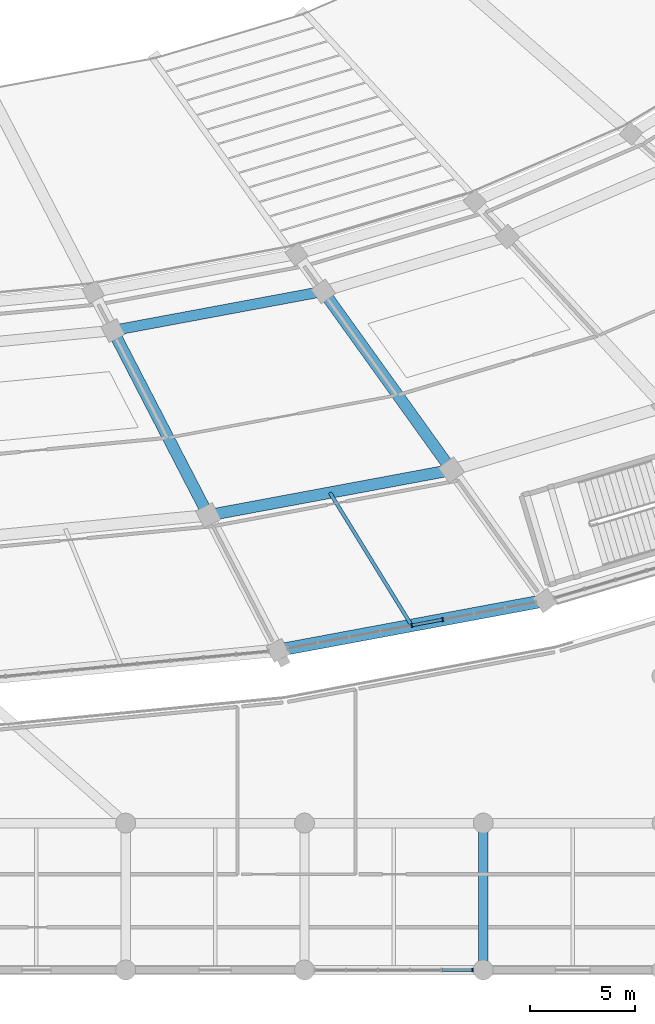
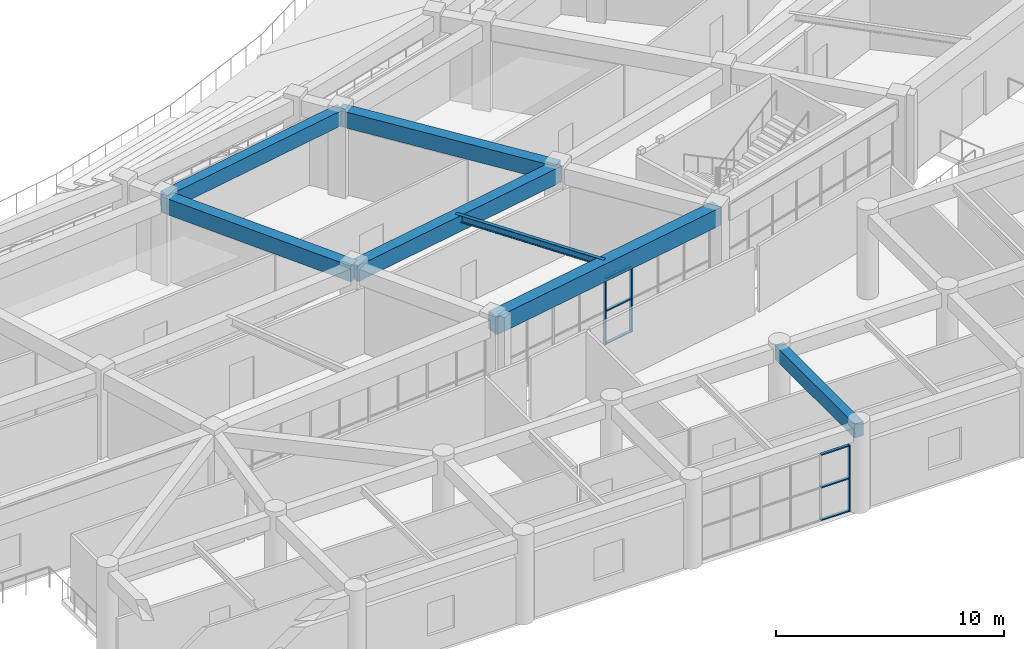
# One storey, part 36 of 152: 9 members, 7 beams, 2 elements without a shape of their own.
"""IFC4 building model written with IfcOpenShell, lengths in metres."""

from ifc_helpers import new_model, si_unit, direction, frame, origin, origin_2d, place, context, subcontext, project, spatial, rectangle, i_section, extrude, material, layer, layer_set, material_profile, profile_set, type_object, element, aggregate, save


model = new_model("IFC4")

# Units and contexts
model_context = context("Model", 3, precision=1e-05, world=origin(), true_north=direction((0.0, 1.0)))
body_context = subcontext(model_context, "Body", "Model", "MODEL_VIEW")
ifc_project = project(units=[si_unit("LENGTHUNIT", "METRE"), si_unit("AREAUNIT", "SQUARE_METRE"), si_unit("VOLUMEUNIT", "CUBIC_METRE"), si_unit("PLANEANGLEUNIT", "RADIAN"), si_unit("MASSUNIT", "GRAM", prefix="KILO")], contexts=[model_context])

# Site, building, storey
site_placement = place(None, origin())
site = spatial("IfcSite", under=ifc_project, at=site_placement, CompositionType="ELEMENT")
building_placement = place(site_placement, origin())
building = spatial("IfcBuilding", under=site, at=building_placement, Name="Mphavela Belvedere Stadium", CompositionType="ELEMENT")
storey_placement = place(building_placement, frame((0.0, 0.0, 5.39990234375)))
storey = spatial("IfcBuildingStorey", under=building, at=storey_placement, Name="L01", CompositionType="ELEMENT", Elevation=5.39990234375)

# Beams
ifc_material_1 = material(Name="Concrete C40/50", Category="concrete")
ifc_material_profile_1 = material_profile(ifc_material_1, rectangle(XDim=0.60009765625, YDim=0.949951171875, at=origin_2d()), Name="RC 600x950")
ifc_profile_set_1 = profile_set([ifc_material_profile_1], Name="Concrete C40/50")
beam_type_1 = type_object("IfcBeamType", Name="BM-ENTABLATURE-950", PredefinedType="SPANDREL", material=ifc_profile_set_1)
beam_1_placement = place(storey_placement, frame((152.07275390625, 15.232666015625, 4.0751953125), z_axis=(0.983098571421, 0.183077029882, 0.0), x_axis=(-0.183077029882, 0.983098571421, 0.0)))
element("IfcBeam", 1, at=beam_1_placement, inside=storey, type_object=beam_type_1, Name="Circumferential girder L01 R4-39", PredefinedType="SPANDREL", context=body_context, shape_type="SweptSolid", body=[
    extrude(rectangle(XDim=0.60009765625, YDim=0.949951171875, at=origin_2d()), origin(), (0.0, 0.0, 1.0), 12.947265625),
])
ifc_material_2 = material(Name="Steel S355", Category="steel")
ifc_material_profile_2 = material_profile(ifc_material_2, i_section(OverallWidth=0.169921875, OverallDepth=0.360107421875, WebThickness=0.008056640625, FlangeThickness=0.0126953125, at=origin_2d()), Name="IPE 360")
ifc_profile_set_2 = profile_set([ifc_material_profile_2], Name="Steel S355")
beam_type_2 = type_object("IfcBeamType", Name="BM-JOIST-IPE360", PredefinedType="JOIST", material=ifc_profile_set_2)
beam_2_placement = place(storey_placement, frame((154.544189453125, 22.743408203125, 4.3701171875), z_axis=(0.524121267204, -0.851643644528, 0.0), x_axis=(0.851643644528, 0.524121267204, 0.0)))
element("IfcBeam", 2, at=beam_2_placement, inside=storey, type_object=beam_type_2, Name="Concourse floor joist L01-39", PredefinedType="JOIST", context=body_context, shape_type="SweptSolid", body=[
    extrude(i_section(OverallWidth=0.169921875, OverallDepth=0.360107421875, WebThickness=0.008056640625, FlangeThickness=0.0126953125, at=origin_2d()), origin(), (0.0, 0.0, 1.0), 7.42724609375),
])
ifc_material_3 = material(Name="Concrete C40/50", Category="concrete")
ifc_material_profile_3 = material_profile(ifc_material_3, rectangle(XDim=0.449951171875, YDim=0.75, at=origin_2d()), Name="RC 450x750")
ifc_profile_set_3 = profile_set([ifc_material_profile_3], Name="Concrete C40/50")
beam_type_3 = type_object("IfcBeamType", Name="BM-RC450x750", PredefinedType="BEAM", material=ifc_profile_set_3)
beam_3_placement = place(storey_placement, frame((161.85205078125, 0.0, 4.1650390625), z_axis=(0.0, 1.0, 0.0), x_axis=(-1.0, 0.0, 0.0)))
element("IfcBeam", 3, at=beam_3_placement, inside=storey, type_object=beam_type_3, Name="South Axial Triumphal Peristyle Portico entablature beam Y L01 20-1", PredefinedType="BEAM", context=body_context, shape_type="SweptSolid", body=[
    extrude(rectangle(XDim=0.449951171875, YDim=0.75, at=origin_2d()), origin(), (0.0, 0.0, 1.0), 7.0),
])
ifc_material_4 = material(Name="Concrete C40/50", Category="concrete")
ifc_material_profile_4 = material_profile(ifc_material_4, rectangle(XDim=0.5, YDim=0.800048828125, at=origin_2d()), Name="RC 500x800")
ifc_profile_set_4 = profile_set([ifc_material_profile_4], Name="Concrete C40/50")
beam_type_4 = type_object("IfcBeamType", Name="BM-RC500x800", PredefinedType="BEAM", material=ifc_profile_set_4)
beam_4_placement = place(storey_placement, frame((144.20361328125, 30.46630859375, 4.150146484375), z_axis=(0.983098802226, 0.183075790485, 0.0), x_axis=(-0.183075790485, 0.983098802226, 0.0)))
element("IfcBeam", 4, at=beam_4_placement, inside=storey, type_object=beam_type_4, Name="Circumferential girder L01 R2-39", PredefinedType="BEAM", context=body_context, shape_type="SweptSolid", body=[
    extrude(rectangle(XDim=0.5, YDim=0.800048828125, at=origin_2d()), origin(), (0.0, 0.0, 1.0), 10.198974609375),
])
ifc_material_5 = material(Name="Concrete C40/50", Category="concrete")
ifc_material_profile_5 = material_profile(ifc_material_5, rectangle(XDim=0.550048828125, YDim=0.85009765625, at=origin_2d()), Name="RC 550x850")
ifc_profile_set_5 = profile_set([ifc_material_profile_5], Name="Concrete C40/50")
beam_type_5 = type_object("IfcBeamType", Name="BM-RC550x850", PredefinedType="BEAM", material=ifc_profile_set_5)
beam_5_placement = place(storey_placement, frame((148.750244140625, 21.66455078125, 4.125), z_axis=(0.983097725009, 0.18308157494, 0.0), x_axis=(-0.18308157494, 0.983097725009, 0.0)))
element("IfcBeam", 5, at=beam_5_placement, inside=storey, type_object=beam_type_5, Name="Circumferential girder L01 R3-39", PredefinedType="BEAM", context=body_context, shape_type="SweptSolid", body=[
    extrude(rectangle(XDim=0.550048828125, YDim=0.85009765625, at=origin_2d()), origin(), (0.0, 0.0, 1.0), 11.786865234375),
])
beam_6_placement = place(storey_placement, frame((144.20361328125, 30.46630859375, 4.125), z_axis=(0.458944837734, -0.888464763464, 0.0), x_axis=(0.888464763464, 0.458944837734, 0.0)))
element("IfcBeam", 6, at=beam_6_placement, inside=storey, type_object=beam_type_5, Name="Radial concourse girder L01 R2R3-39", PredefinedType="BEAM", context=body_context, shape_type="SweptSolid", body=[
    extrude(rectangle(XDim=0.550048828125, YDim=0.85009765625, at=origin_2d()), origin(), (0.0, 0.0, 1.0), 9.90673828125),
])
beam_7_placement = place(storey_placement, frame((154.230224609375, 32.33349609375, 4.125), z_axis=(0.583031296474, -0.812449695262, 0.0), x_axis=(0.812449695262, 0.583031296474, 0.0)))
element("IfcBeam", 7, at=beam_7_placement, inside=storey, type_object=beam_type_5, Name="Radial concourse girder L01 R2R3-40", PredefinedType="BEAM", context=body_context, shape_type="SweptSolid", body=[
    extrude(rectangle(XDim=0.550048828125, YDim=0.85009765625, at=origin_2d()), origin(), (0.0, 0.0, 1.0), 10.475830078125),
])

# Curtain wall, members
ifc_material_6 = material(Name="Anodised bronze unitised curtain wall framing")
ifc_layer_1 = layer(ifc_material_6, 0.205078125)
ifc_layer_set_1 = layer_set([ifc_layer_1], Name="Anodised bronze unitised curtain wall framing")
curtain_wall_type_1 = type_object("IfcCurtainWallType", Name="CW-UNIT-06", PredefinedType="USERDEFINED", material=ifc_layer_set_1)
curtain_wall_1_placement = place(storey_placement, origin())
curtain_wall_1 = element("IfcCurtainWall", 8, at=curtain_wall_1_placement, inside=storey, type_object=curtain_wall_type_1, Name="Belvedere colonnade curtain wall L01-39", ObjectType="UNITISED CURTAIN WALL", PredefinedType="USERDEFINED")
ifc_material_7 = material(Name="Anodised bronze extruded aluminium", Category="aluminium")
ifc_material_profile_6 = material_profile(ifc_material_7, rectangle(XDim=0.179931640625, YDim=0.06494140625, at=origin_2d()), Name="CW-MUL 180x65")
ifc_profile_set_6 = profile_set([ifc_material_profile_6], Name="Anodised bronze extruded aluminium")
member_type_1 = type_object("IfcMemberType", Name="CWM-180x65", PredefinedType="MULLION", material=ifc_profile_set_6)
member_1_placement = place(storey_placement, frame((158.43701171875, 16.41796875, 0.0), z_axis=(0.0, 0.0, 1.0), x_axis=(-0.18309495886, 0.983095232437, 0.0)))
member_1 = element("IfcMember", 9, at=member_1_placement, type_object=member_type_1, Name="CW-06 mullion 5", PredefinedType="MULLION", context=body_context, shape_type="SweptSolid", body=[
    extrude(rectangle(XDim=0.179931640625, YDim=0.06494140625, at=origin_2d()), origin(), (0.0, 0.0, 1.0), 3.570068359375),
])
member_2_placement = place(storey_placement, frame((159.924072265625, 16.69482421875, 0.0), z_axis=(0.0, 0.0, 1.0), x_axis=(-0.18309495886, 0.983095232437, 0.0)))
member_2 = element("IfcMember", 10, at=member_2_placement, type_object=member_type_1, Name="CW-06 mullion 6", PredefinedType="MULLION", context=body_context, shape_type="SweptSolid", body=[
    extrude(rectangle(XDim=0.179931640625, YDim=0.06494140625, at=origin_2d()), origin(), (0.0, 0.0, 1.0), 3.570068359375),
])

# Curtain wall, member
ifc_material_8 = material(Name="Anodised bronze unitised curtain wall framing")
ifc_layer_2 = layer(ifc_material_8, 0.199951171875)
ifc_layer_set_2 = layer_set([ifc_layer_2], Name="Anodised bronze unitised curtain wall framing")
curtain_wall_type_2 = type_object("IfcCurtainWallType", Name="CW-UNIT-05", PredefinedType="USERDEFINED", material=ifc_layer_set_2)
curtain_wall_2_placement = place(storey_placement, origin())
curtain_wall_2 = element("IfcCurtainWall", 11, at=curtain_wall_2_placement, inside=storey, type_object=curtain_wall_type_2, Name="South Axial Triumphal Peristyle Portico gallery curtain wall L01-19", ObjectType="UNITISED CURTAIN WALL", PredefinedType="USERDEFINED")
member_3_placement = place(storey_placement, frame((161.346435546875, 0.0, 0.0), z_axis=(0.0, 0.0, 1.0), x_axis=(0.0, -1.0, 0.0)))
member_3 = element("IfcMember", 12, at=member_3_placement, type_object=member_type_1, Name="CW-05 mullion 1", PredefinedType="MULLION", context=body_context, shape_type="SweptSolid", body=[
    extrude(rectangle(XDim=0.179931640625, YDim=0.06494140625, at=origin_2d()), origin(), (0.0, 0.0, 1.0), 3.56005859375),
])

# Member
ifc_material_9 = material(Name="Anodised bronze extruded aluminium", Category="aluminium")
ifc_material_profile_7 = material_profile(ifc_material_9, rectangle(XDim=0.139892578125, YDim=0.06005859375, at=origin_2d()), Name="CW-TRN 140x60")
ifc_profile_set_7 = profile_set([ifc_material_profile_7], Name="Anodised bronze extruded aluminium")
member_type_2 = type_object("IfcMemberType", Name="CWT-140x60", PredefinedType="USERDEFINED", material=ifc_profile_set_7)
member_4_placement = place(storey_placement, frame((158.468994140625, 16.423828125, 0.030029296875), z_axis=(0.983083468117, 0.183158113977, 0.0), x_axis=(-0.183158113977, 0.983083468117, 0.0)))
member_4 = element("IfcMember", 13, at=member_4_placement, type_object=member_type_2, Name="CW-06 transom 5.1", ObjectType="TRANSOM", PredefinedType="USERDEFINED", context=body_context, shape_type="SweptSolid", body=[
    extrude(rectangle(XDim=0.139892578125, YDim=0.06005859375, at=origin_2d()), origin(), (0.0, 0.0, 1.0), 1.447509765625),
])

member_5_placement = place(storey_placement, frame((158.468994140625, 16.423828125, 1.78515625), z_axis=(0.983083468117, 0.183158113977, 0.0), x_axis=(-0.183158113977, 0.983083468117, 0.0)))
member_5 = element("IfcMember", 14, at=member_5_placement, type_object=member_type_2, Name="CW-06 transom 5.2", ObjectType="TRANSOM", PredefinedType="USERDEFINED", context=body_context, shape_type="SweptSolid", body=[
    extrude(rectangle(XDim=0.139892578125, YDim=0.06005859375, at=origin_2d()), origin(), (0.0, 0.0, 1.0), 1.447509765625),
])

member_6_placement = place(storey_placement, frame((158.468994140625, 16.423828125, 3.5400390625), z_axis=(0.983083468117, 0.183158113977, 0.0), x_axis=(-0.183158113977, 0.983083468117, 0.0)))
member_6 = element("IfcMember", 15, at=member_6_placement, type_object=member_type_2, Name="CW-06 transom 5.3", ObjectType="TRANSOM", PredefinedType="USERDEFINED", context=body_context, shape_type="SweptSolid", body=[
    extrude(rectangle(XDim=0.139892578125, YDim=0.06005859375, at=origin_2d()), origin(), (0.0, 0.0, 1.0), 1.447509765625),
])

aggregate(curtain_wall_1, [member_1, member_2, member_4, member_5, member_6])

member_7_placement = place(storey_placement, frame((161.31396484375, 0.0, 0.030029296875), z_axis=(-1.0, 0.0, 0.0), x_axis=(0.0, -1.0, 0.0)))
member_7 = element("IfcMember", 16, at=member_7_placement, type_object=member_type_2, Name="CW-05 transom 1.1", ObjectType="TRANSOM", PredefinedType="USERDEFINED", context=body_context, shape_type="SweptSolid", body=[
    extrude(rectangle(XDim=0.139892578125, YDim=0.06005859375, at=origin_2d()), origin(), (0.0, 0.0, 1.0), 1.4169921875),
])

member_8_placement = place(storey_placement, frame((161.31396484375, 0.0, 1.780029296875), z_axis=(-1.0, 0.0, 0.0), x_axis=(0.0, -1.0, 0.0)))
member_8 = element("IfcMember", 17, at=member_8_placement, type_object=member_type_2, Name="CW-05 transom 1.2", ObjectType="TRANSOM", PredefinedType="USERDEFINED", context=body_context, shape_type="SweptSolid", body=[
    extrude(rectangle(XDim=0.139892578125, YDim=0.06005859375, at=origin_2d()), origin(), (0.0, 0.0, 1.0), 1.4169921875),
])

member_9_placement = place(storey_placement, frame((161.31396484375, 0.0, 3.530029296875), z_axis=(-1.0, 0.0, 0.0), x_axis=(0.0, -1.0, 0.0)))
member_9 = element("IfcMember", 18, at=member_9_placement, type_object=member_type_2, Name="CW-05 transom 1.3", ObjectType="TRANSOM", PredefinedType="USERDEFINED", context=body_context, shape_type="SweptSolid", body=[
    extrude(rectangle(XDim=0.139892578125, YDim=0.06005859375, at=origin_2d()), origin(), (0.0, 0.0, 1.0), 1.4169921875),
])

aggregate(curtain_wall_2, [member_3, member_7, member_8, member_9])

save(model, "model.ifc")
